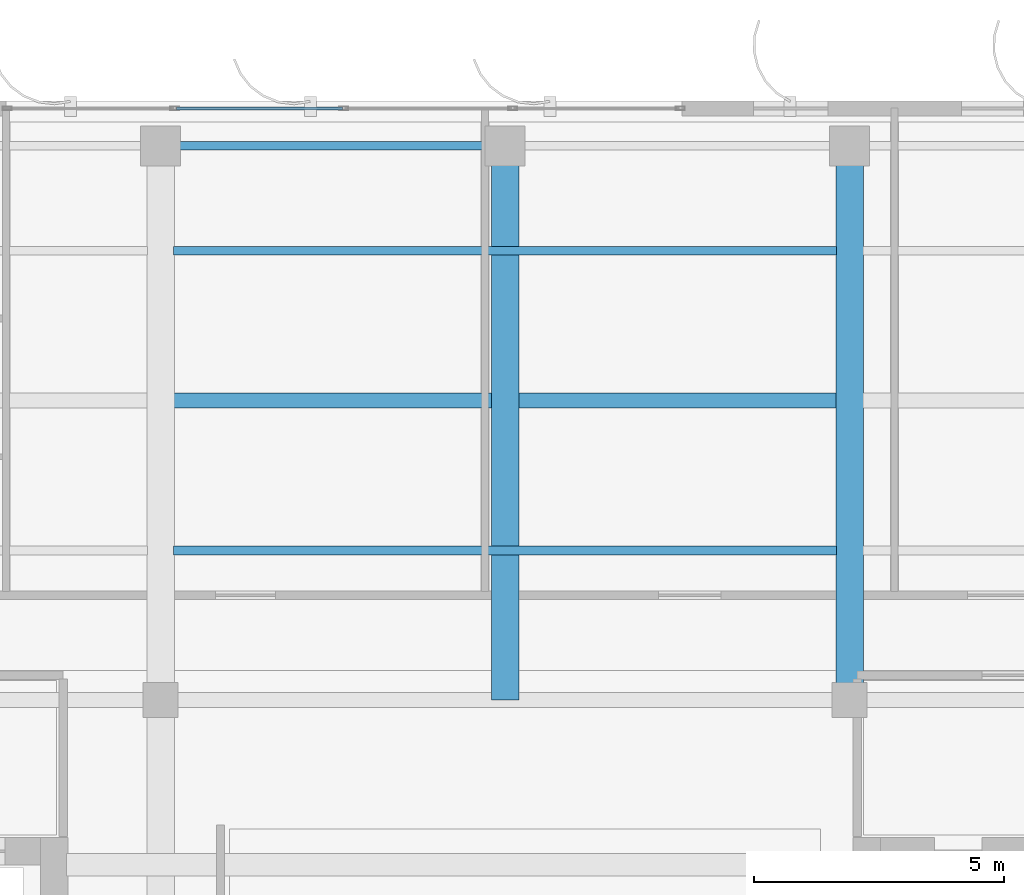
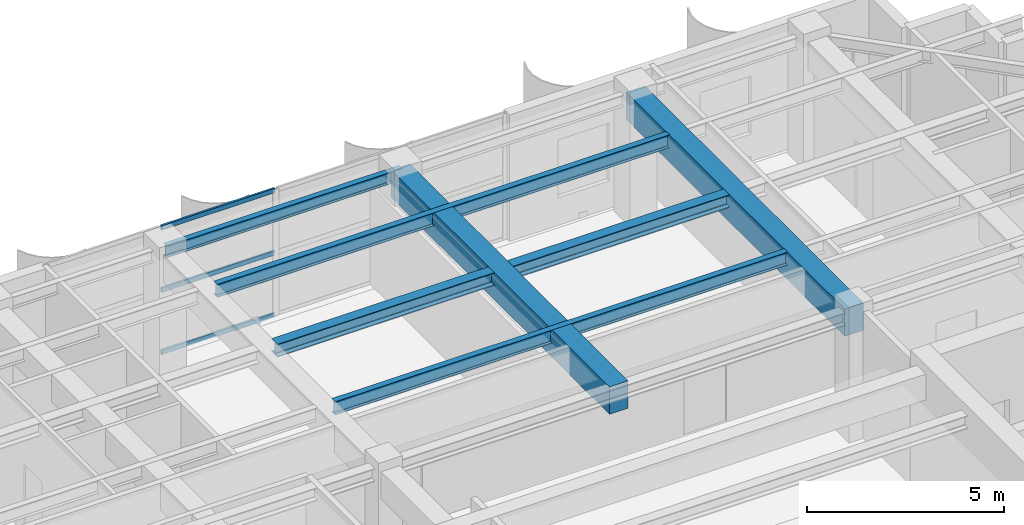
# One storey, part 10 of 19: 6 beams, 3 members, 1 element without a shape of its own.
"""IFC4 building model written with IfcOpenShell, lengths in metres."""

import ifcopenshell
import ifcopenshell.guid

model = None  # the IFC model being written
_history = None  # IfcOwnerHistory: only IFC2X3 demands one
_inside = {}  # id of a spatial element -> (the spatial element, [elements in it])
_under = {}  # id of a project, library or spatial element -> (it, [spatial elements below it])
_declared = {}  # id of a project -> (the project, [libraries it declares])
_typed = {}  # id of a type object -> (the type object, [elements of that type])
_made_of = {}  # id of a material, layer set ... -> (it, [elements and type objects made of it])


def new_model(schema):
    """Start an empty IFC model of exactly this schema.

    Asked for "IFC4X3", IfcOpenShell would pick the latest addendum, in which some entities
    have other attributes; the version numbers below select the first issue.
    IFC2X3 requires an IfcOwnerHistory on every rooted entity: one is made here for all.
    """
    global model, _history
    if schema == "IFC4X3":
        model = ifcopenshell.file(schema_version=(4, 3, 0, 0))
    else:
        model = ifcopenshell.file(schema=schema)
    _inside.clear()
    _under.clear()
    _declared.clear()
    _typed.clear()
    _made_of.clear()
    _history = None
    if model.schema == "IFC2X3":
        org = make("IfcOrganization", Name="unknown")
        user = make(
            "IfcPersonAndOrganization",
            ThePerson=make("IfcPerson", FamilyName="unknown"),
            TheOrganization=org,
        )
        app = make(
            "IfcApplication",
            ApplicationDeveloper=org,
            Version="unknown",
            ApplicationFullName="unknown",
            ApplicationIdentifier="unknown",
        )
        _history = make(
            "IfcOwnerHistory",
            OwningUser=user,
            OwningApplication=app,
            ChangeAction="ADDED",
            CreationDate=0,
        )
    return model


def make(cls, **values):
    """One entity of the class cls with the attributes given. An attribute that is None is left unset."""
    return model.create_entity(
        cls, **{name: value for name, value in values.items() if value is not None}
    )


def rooted(cls, **values):
    """An entity with a GlobalId (a new one), such as an element, a storey or a relation."""
    return make(cls, GlobalId=ifcopenshell.guid.new(), OwnerHistory=_history, **values)


def si_unit(unit_type, name, prefix=None):
    """IfcSIUnit, for example si_unit("LENGTHUNIT", "METRE", prefix="MILLI")."""
    return make("IfcSIUnit", UnitType=unit_type, Prefix=prefix, Name=name)


def assignment(units):
    """IfcUnitAssignment: the units of a project."""
    return None if units is None else make("IfcUnitAssignment", Units=units)


def point(xyz):
    """IfcCartesianPoint."""
    return None if xyz is None else make("IfcCartesianPoint", Coordinates=xyz)


def direction(xyz):
    """IfcDirection."""
    return None if xyz is None else make("IfcDirection", DirectionRatios=xyz)


def frame(location, z_axis=None, x_axis=None):
    """IfcAxis2Placement3D, a coordinate frame: its origin and axes. An axis left out is left unset."""
    return make(
        "IfcAxis2Placement3D",
        Location=point(location),
        Axis=direction(z_axis),
        RefDirection=direction(x_axis),
    )


def frame_2d(location, x_axis=None):
    """IfcAxis2Placement2D, a coordinate frame in the plane: its origin and x axis."""
    return make(
        "IfcAxis2Placement2D", Location=point(location), RefDirection=direction(x_axis)
    )


def origin():
    """The frame at (0, 0, 0) with its axes left unset."""
    return frame((0.0, 0.0, 0.0))


def origin_2d():
    """The frame at (0, 0) in the plane with its x axis left unset."""
    return frame_2d((0.0, 0.0))


def place(relative_to, where):
    """IfcLocalPlacement: puts the frame where relative to a parent placement (None: the world)."""
    return make(
        "IfcLocalPlacement", PlacementRelTo=relative_to, RelativePlacement=where
    )


def context(
    kind, dimensions, precision=None, world=None, true_north=None, identifier=None
):
    """IfcGeometricRepresentationContext, for example the 3D "Model" context."""
    return make(
        "IfcGeometricRepresentationContext",
        ContextIdentifier=identifier,
        ContextType=kind,
        CoordinateSpaceDimension=dimensions,
        Precision=precision,
        WorldCoordinateSystem=world,
        TrueNorth=true_north,
    )


def subcontext(parent, identifier, kind, view, scale=None):
    """IfcGeometricRepresentationSubContext, for example "Body" below "Model"."""
    return make(
        "IfcGeometricRepresentationSubContext",
        ContextIdentifier=identifier,
        ContextType=kind,
        ParentContext=parent,
        TargetScale=scale,
        TargetView=view,
    )


def project(units=None, contexts=None):
    """IfcProject with its units and contexts."""
    return rooted(
        "IfcProject",
        Name="project",
        RepresentationContexts=contexts,
        UnitsInContext=assignment(units),
    )


def spatial(cls, under=None, at=None, **own):
    """A site, building, storey or space (cls), placed at a placement, below another one or the project."""
    s = rooted(cls, ObjectPlacement=at, **own)
    if under is not None:
        _under.setdefault(under.id(), (under, []))[1].append(s)
    return s


def profile(cls, at=None, kind="AREA", **sizes):
    """A parametric profile (cls). Its sizes go by their IFC names, for example OverallWidth=200.0."""
    return make(cls, ProfileType=kind, Position=at, **sizes)


def rectangle(**sizes):
    """IfcRectangleProfileDef."""
    return profile("IfcRectangleProfileDef", **sizes)


def hollow_rectangle(**sizes):
    """IfcRectangleHollowProfileDef."""
    return profile("IfcRectangleHollowProfileDef", **sizes)


def i_section(**sizes):
    """IfcIShapeProfileDef."""
    return profile("IfcIShapeProfileDef", **sizes)


def extrude(swept, where, along, depth):
    """IfcExtrudedAreaSolid: the profile swept, set in the frame where, extruded along a direction by depth."""
    return make(
        "IfcExtrudedAreaSolid",
        SweptArea=swept,
        Position=where,
        ExtrudedDirection=direction(along),
        Depth=depth,
    )


def shape(context_of_items, identifier, shape_type, items):
    """IfcShapeRepresentation: the items that make up one representation, for example the "Body"."""
    return make(
        "IfcShapeRepresentation",
        ContextOfItems=context_of_items,
        RepresentationIdentifier=identifier,
        RepresentationType=shape_type,
        Items=items,
    )


def source(mapping_origin, context_of_items, identifier, shape_type, items):
    """IfcRepresentationMap: a shape defined once, which mapped items show again and again."""
    return make(
        "IfcRepresentationMap",
        MappingOrigin=mapping_origin,
        MappedRepresentation=shape(context_of_items, identifier, shape_type, items),
    )


def transform(
    local_origin,
    x_axis=None,
    y_axis=None,
    z_axis=None,
    scale=None,
    scale2=None,
    scale3=None,
    uniform=True,
):
    """IfcCartesianTransformationOperator3D, or its non-uniform kind. x_axis, y_axis, z_axis: its Axis1, 2, 3."""
    if uniform:
        return make(
            "IfcCartesianTransformationOperator3D",
            Axis1=direction(x_axis),
            Axis2=direction(y_axis),
            LocalOrigin=point(local_origin),
            Scale=scale,
            Axis3=direction(z_axis),
        )
    return make(
        "IfcCartesianTransformationOperator3DnonUniform",
        Axis1=direction(x_axis),
        Axis2=direction(y_axis),
        LocalOrigin=point(local_origin),
        Scale=scale,
        Axis3=direction(z_axis),
        Scale2=scale2,
        Scale3=scale3,
    )


def mapped(mapping_source, mapping_target):
    """IfcMappedItem: shows the shape of a source again, moved by a transform."""
    return make(
        "IfcMappedItem", MappingSource=mapping_source, MappingTarget=mapping_target
    )


def material(Name=None, Category=None):
    """IfcMaterial."""
    return make("IfcMaterial", Name=Name, Category=Category)


def layer(
    of_material, thickness, ventilated=None, Name=None, Category=None, Priority=None
):
    """IfcMaterialLayer: one layer of a wall or slab, of a material (None: an air gap)."""
    return make(
        "IfcMaterialLayer",
        Material=of_material,
        LayerThickness=thickness,
        IsVentilated=ventilated,
        Name=Name,
        Category=Category,
        Priority=Priority,
    )


def layer_set(layers, Name=None):
    """IfcMaterialLayerSet."""
    return make("IfcMaterialLayerSet", MaterialLayers=layers, LayerSetName=Name)


def material_profile(
    of_material, cross_section, Name=None, Category=None, Priority=None
):
    """IfcMaterialProfile: a cross section and its material."""
    return make(
        "IfcMaterialProfile",
        Name=Name,
        Material=of_material,
        Profile=cross_section,
        Priority=Priority,
        Category=Category,
    )


def profile_set(profiles, Name=None, composite=None):
    """IfcMaterialProfileSet."""
    return make(
        "IfcMaterialProfileSet",
        Name=Name,
        MaterialProfiles=profiles,
        CompositeProfile=composite,
    )


def made_of(thing, what):
    """Note that an element or type object is made of a material, layer set ...; save() writes the relation."""
    if what is not None:
        _made_of.setdefault(what.id(), (what, []))[1].append(thing)
    return thing


def type_object(cls, material=None, **own):
    """A type object (cls), such as IfcWallType, which elements share."""
    return made_of(rooted(cls, **own), material)


def element(
    cls,
    number,
    at=None,
    inside=None,
    cuts=None,
    type_object=None,
    material=None,
    context=None,
    identifier="Body",
    shape_type=None,
    held_by="IfcProductDefinitionShape",
    body=None,
    shapes=None,
    **own,
):
    """One element of the class cls, such as IfcWall. Its Tag is "e" and its number.

    at: its placement. inside: the storey or other place that contains it. cuts: it is an
    opening in that element (IfcRelVoidsElement). A single representation is given by context,
    identifier, shape_type and body (its items); several are given by shapes. held_by: the class
    of the entity that holds the representations. save() writes the other relations.
    """
    e = rooted(cls, Tag="e%d" % number, ObjectPlacement=at, **own)
    if body is not None:
        shapes = [shape(context, identifier, shape_type, body)]
    if shapes is not None:
        e.Representation = make(held_by, Representations=shapes)
    if inside is not None:
        _inside.setdefault(inside.id(), (inside, []))[1].append(e)
    if cuts is not None:
        rooted(
            "IfcRelVoidsElement", RelatingBuildingElement=cuts, RelatedOpeningElement=e
        )
    if type_object is not None:
        _typed.setdefault(type_object.id(), (type_object, []))[1].append(e)
    return made_of(e, material)


def aggregate(whole, parts):
    """IfcRelAggregates: a whole, such as a stair, and the parts it consists of."""
    return rooted("IfcRelAggregates", RelatingObject=whole, RelatedObjects=parts)


def save(model, path):
    """Write the relations noted so far, then the file.

    IfcRelAggregates (storeys below a building ...), IfcRelContainedInSpatialStructure (elements
    in a storey), IfcRelDefinesByType, IfcRelAssociatesMaterial and IfcRelDeclares: one each for
    every whole, place, type object, material and project.
    """
    for whole, parts in _under.values():
        aggregate(whole, parts)
    for where, things in _inside.values():
        rooted(
            "IfcRelContainedInSpatialStructure",
            RelatedElements=things,
            RelatingStructure=where,
        )
    for kind, things in _typed.values():
        rooted("IfcRelDefinesByType", RelatedObjects=things, RelatingType=kind)
    for what, things in _made_of.values():
        rooted("IfcRelAssociatesMaterial", RelatedObjects=things, RelatingMaterial=what)
    for by, libraries in _declared.values():
        rooted("IfcRelDeclares", RelatingContext=by, RelatedDefinitions=libraries)
    model.write(path)


model = new_model("IFC4")

# Units and contexts
model_context = context("Model", 3, precision=1e-05, world=origin(), true_north=direction((0.0, 1.0)))
body_context = subcontext(model_context, "Body", "Model", "MODEL_VIEW")
ifc_project = project(units=[si_unit("LENGTHUNIT", "METRE"), si_unit("AREAUNIT", "SQUARE_METRE"), si_unit("VOLUMEUNIT", "CUBIC_METRE"), si_unit("PLANEANGLEUNIT", "RADIAN"), si_unit("MASSUNIT", "GRAM", prefix="KILO")], contexts=[model_context])

# Site, building, storey
site_placement = place(None, origin())
site = spatial("IfcSite", under=ifc_project, at=site_placement, CompositionType="ELEMENT")
building_placement = place(site_placement, origin())
building = spatial("IfcBuilding", under=site, at=building_placement, Name="Khoralis Quay Care Tower", CompositionType="ELEMENT")
storey_placement = place(building_placement, frame((0.0, 0.0, 285.300048828125)))
storey = spatial("IfcBuildingStorey", under=building, at=storey_placement, Name="L75", CompositionType="ELEMENT", Elevation=285.300048828125)

# Beams
ifc_material_1 = material(Name="Concrete C50/60", Category="concrete")
ifc_material_profile_1 = material_profile(ifc_material_1, rectangle(XDim=0.550048828125, YDim=0.85009765625, at=origin_2d()), Name="Concrete C50/60")
ifc_profile_set_1 = profile_set([ifc_material_profile_1], Name="Concrete C50/60")
beam_type_1 = type_object("IfcBeamType", Name="BM-RC550X850", PredefinedType="BEAM", material=ifc_profile_set_1)
shared_shape_1 = source(origin(), body_context, "Body", "SweptSolid", [
    extrude(rectangle(XDim=0.550048828125, YDim=0.85009765625, at=origin_2d()), origin(), (0.0, 0.0, 1.0), 11.10009765625),
])
for number, where, z_axis, x_axis, name in (
    (1, (24.0, 30.0, 3.494873046875), (0.0, 1.0, 0.0), (-1.0, 0.0, 0.0), "BM-TGYN-L75-240"),
    (2, (30.89990234375, 30.0, 3.494873046875), (0.0, 1.0, 0.0), (-1.0, 0.0, 0.0), "BM-TGYN-L75-309"),
):
    element("IfcBeam", number, at=place(storey_placement, frame(where, z_axis=z_axis, x_axis=x_axis)), inside=storey, type_object=beam_type_1, Name=name, PredefinedType="BEAM", context=body_context, shape_type="MappedRepresentation", body=[
        mapped(shared_shape_1, transform((0.0, 0.0, 0.0), scale=1.0)),
    ])
ifc_material_2 = material(Name="Steel S355", Category="steel")
ifc_material_profile_2 = material_profile(ifc_material_2, i_section(OverallWidth=0.169921875, OverallDepth=0.360107421875, WebThickness=0.008056640625, FlangeThickness=0.0126953125, FilletRadius=0.01806640625, at=origin_2d()), Name="Steel S355")
ifc_profile_set_2 = profile_set([ifc_material_profile_2], Name="Steel S355")
beam_type_2 = type_object("IfcBeamType", Name="BM-IPE360", PredefinedType="SPANDREL", material=ifc_profile_set_2)
shared_shape_2 = source(origin(), body_context, "Body", "SweptSolid", [
    extrude(i_section(OverallWidth=0.169921875, OverallDepth=0.360107421875, WebThickness=0.008056640625, FlangeThickness=0.0126953125, FilletRadius=0.01806640625, at=origin_2d()), origin(), (0.0, 0.0, 1.0), 6.89990234375),
])
beam_1_placement = place(storey_placement, frame((17.10009765625, 41.10009765625, 3.739990234375), z_axis=(1.0, 0.0, 0.0), x_axis=(0.0, 1.0, 0.0)))
element("IfcBeam", 3, at=beam_1_placement, inside=storey, type_object=beam_type_2, Name="BM-TSP-L75-06", PredefinedType="SPANDREL", context=body_context, shape_type="MappedRepresentation", body=[
    mapped(shared_shape_2, transform((0.0, 0.0, 0.0), scale=1.0)),
])
ifc_material_profile_3 = material_profile(ifc_material_2, i_section(OverallWidth=0.300048828125, OverallDepth=0.39990234375, WebThickness=0.013427734375, FlangeThickness=0.02392578125, FilletRadius=0.027099609375, at=origin_2d()), Name="Steel S355")
ifc_profile_set_3 = profile_set([ifc_material_profile_3], Name="Steel S355")
beam_type_3 = type_object("IfcBeamType", Name="BM-HEB400", PredefinedType="BEAM", material=ifc_profile_set_3)
shared_shape_3 = source(origin(), body_context, "Body", "SweptSolid", [
    extrude(i_section(OverallWidth=0.300048828125, OverallDepth=0.39990234375, WebThickness=0.013427734375, FlangeThickness=0.02392578125, FilletRadius=0.027099609375, at=origin_2d()), origin(), (0.0, 0.0, 1.0), 13.27392578125),
])
beam_2_placement = place(storey_placement, frame((17.363037109375, 36.0, 3.719970703125), z_axis=(1.0, 0.0, 0.0), x_axis=(0.0, 1.0, 0.0)))
element("IfcBeam", 4, at=beam_2_placement, inside=storey, type_object=beam_type_3, Name="BM-TGCC-L75-360", PredefinedType="BEAM", context=body_context, shape_type="MappedRepresentation", body=[
    mapped(shared_shape_3, transform((0.0, 0.0, 0.0), scale=1.0)),
])
ifc_material_profile_4 = material_profile(ifc_material_2, i_section(OverallWidth=0.177978515625, OverallDepth=0.406982421875, WebThickness=0.0078125, FlangeThickness=0.0126953125, FilletRadius=0.012939453125, at=origin_2d()), Name="Steel S355")
ifc_profile_set_4 = profile_set([ifc_material_profile_4], Name="Steel S355")
beam_type_4 = type_object("IfcBeamType", Name="BM-W410X60", PredefinedType="JOIST", material=ifc_profile_set_4)
shared_shape_4 = source(origin(), body_context, "Body", "SweptSolid", [
    extrude(i_section(OverallWidth=0.177978515625, OverallDepth=0.406982421875, WebThickness=0.0078125, FlangeThickness=0.0126953125, FilletRadius=0.012939453125, at=origin_2d()), origin(), (0.0, 0.0, 1.0), 13.27392578125),
])
for number, where, z_axis, x_axis, name in (
    (5, (17.363037109375, 33.0, 3.716552734375), (1.0, 0.0, 0.0), (0.0, 1.0, 0.0), "BM-TJS-L75-26"),
    (6, (17.363037109375, 39.0, 3.716552734375), (1.0, 0.0, 0.0), (0.0, 1.0, 0.0), "BM-TJS-L75-29"),
):
    element("IfcBeam", number, at=place(storey_placement, frame(where, z_axis=z_axis, x_axis=x_axis)), inside=storey, type_object=beam_type_4, Name=name, PredefinedType="JOIST", context=body_context, shape_type="MappedRepresentation", body=[
        mapped(shared_shape_4, transform((0.0, 0.0, 0.0), scale=1.0)),
    ])

# Curtain wall, members
ifc_material_3 = material(Name="Pale anodised aluminium", Category="aluminium")
ifc_layer = layer(ifc_material_3, 0.159912109375)
ifc_layer_set = layer_set([ifc_layer], Name="Pale anodised aluminium")
curtain_wall_type = type_object("IfcCurtainWallType", Name="CW-SYS-Z3", PredefinedType="NOTDEFINED", material=ifc_layer_set)
curtain_wall_placement = place(storey_placement, origin())
curtain_wall = element("IfcCurtainWall", 7, at=curtain_wall_placement, inside=storey, type_object=curtain_wall_type, Name="L75 Unitised Curtain Wall CW-L75-P1-E10", PredefinedType="NOTDEFINED")
ifc_material_profile_5 = material_profile(ifc_material_3, hollow_rectangle(XDim=0.06005859375, YDim=0.139892578125, WallThickness=0.00390625, at=origin_2d()), Name="Pale anodised aluminium")
ifc_profile_set_5 = profile_set([ifc_material_profile_5], Name="Pale anodised aluminium")
member_type = type_object("IfcMemberType", Name="CW-TRN-140", PredefinedType="USERDEFINED", material=ifc_profile_set_5)
shared_shape_5 = source(origin(), body_context, "Body", "SweptSolid", [
    extrude(hollow_rectangle(XDim=0.06005859375, YDim=0.139892578125, WallThickness=0.00390625, at=origin_2d()), origin(), (0.0, 0.0, 1.0), 3.324951171875),
])
member_1_placement = place(storey_placement, frame((20.739990234375, 41.85009765625, 0.030029296875), z_axis=(-1.0, 0.0, 0.0), x_axis=(0.0, -1.0, 0.0)))
member_1 = element("IfcMember", 8, at=member_1_placement, type_object=member_type, Name="CW3 transom 3.1", ObjectType="TRANSOM", PredefinedType="USERDEFINED", context=body_context, shape_type="MappedRepresentation", body=[
    mapped(shared_shape_5, transform((0.0, 0.0, 0.0), scale=1.0)),
])
member_2_placement = place(storey_placement, frame((20.739990234375, 41.85009765625, 1.9599609375), z_axis=(-1.0, 0.0, 0.0), x_axis=(0.0, -1.0, 0.0)))
member_2 = element("IfcMember", 9, at=member_2_placement, type_object=member_type, Name="CW3 transom 3.2", ObjectType="TRANSOM", PredefinedType="USERDEFINED", context=body_context, shape_type="MappedRepresentation", body=[
    mapped(shared_shape_5, transform((0.0, 0.0, 0.0), scale=1.0)),
])
member_3_placement = place(storey_placement, frame((20.739990234375, 41.85009765625, 3.889892578125), z_axis=(-1.0, 0.0, 0.0), x_axis=(0.0, -1.0, 0.0)))
member_3 = element("IfcMember", 10, at=member_3_placement, type_object=member_type, Name="CW3 transom 3.3", ObjectType="TRANSOM", PredefinedType="USERDEFINED", context=body_context, shape_type="MappedRepresentation", body=[
    mapped(shared_shape_5, transform((0.0, 0.0, 0.0), scale=1.0)),
])
aggregate(curtain_wall, [member_1, member_2, member_3])

save(model, "model.ifc")
